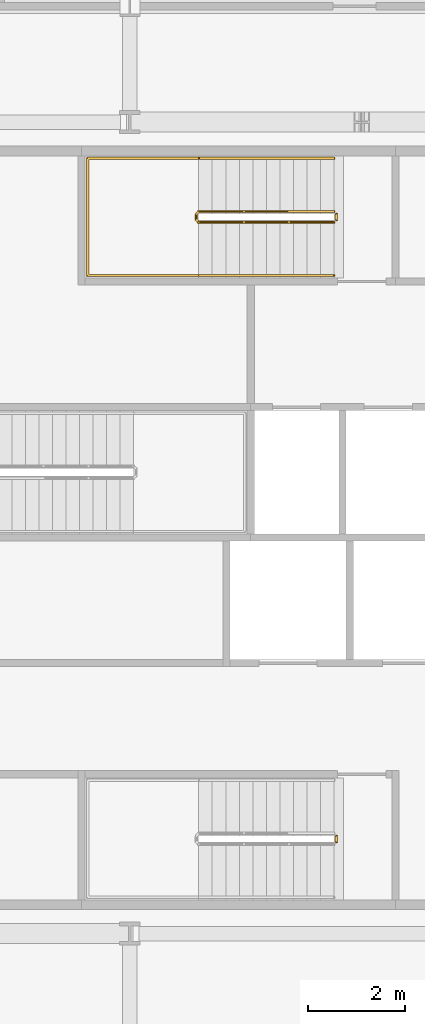
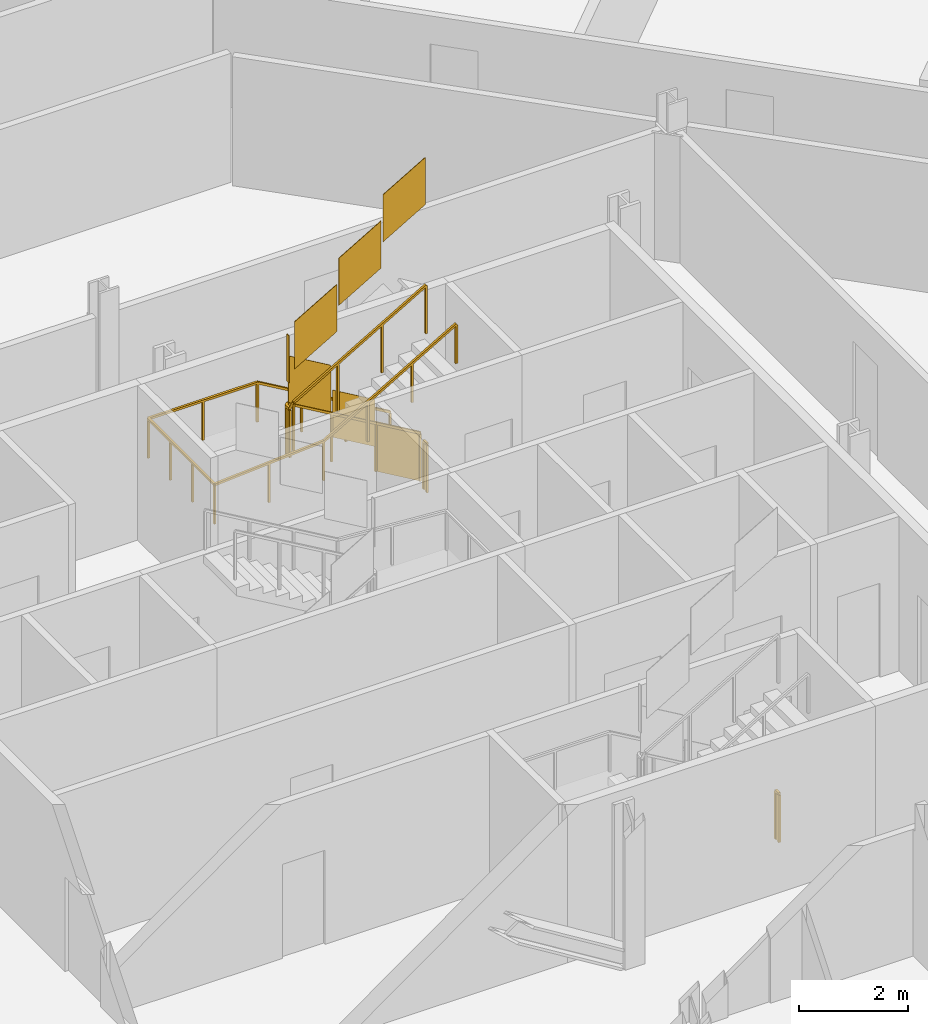
# One storey, part 18 of 21: 4 railings.
"""IFC4 building model written with IfcOpenShell, lengths in metres."""

from ifc_helpers import new_model, si_unit, direction, frame, origin, origin_2d, place, context, subcontext, project, spatial, polyline, rectangle, outline, extrude, material, type_object, element, save


model = new_model("IFC4")

# Units and contexts
model_context = context("Model", 3, precision=1e-05, world=origin(), true_north=direction((0.0, 1.0)))
body_context = subcontext(model_context, "Body", "Model", "MODEL_VIEW")
ifc_project = project(units=[si_unit("LENGTHUNIT", "METRE"), si_unit("AREAUNIT", "SQUARE_METRE"), si_unit("VOLUMEUNIT", "CUBIC_METRE"), si_unit("PLANEANGLEUNIT", "RADIAN"), si_unit("MASSUNIT", "GRAM", prefix="KILO")], contexts=[model_context])

# Site, building, storey
site_placement = place(None, origin())
site = spatial("IfcSite", under=ifc_project, at=site_placement, CompositionType="ELEMENT")
building_placement = place(site_placement, origin())
building = spatial("IfcBuilding", under=site, at=building_placement, Name="Cairn Pilgrim Tower", CompositionType="ELEMENT")
storey_placement = place(building_placement, frame((0.0, 0.0, 132.60009765625)))
storey = spatial("IfcBuildingStorey", under=building, at=storey_placement, Name="L32", CompositionType="ELEMENT", Elevation=132.60009765625)

# Railings
ifc_material = material(Name="Painted steel", Category="steel")
railing_type_1 = type_object("IfcRailingType", Name="STAIR GUARD 1100", PredefinedType="GUARDRAIL", material=ifc_material)
railing_1_placement = place(storey_placement, frame((11.47509765625, -3.97509765625, 0.0)))
element("IfcRailing", 1, at=railing_1_placement, inside=storey, type_object=railing_type_1, Name="L32 ST-A stair guard 2", PredefinedType="GUARDRAIL", context=body_context, shape_type="SweptSolid", body=[
    extrude(rectangle(XDim=0.048095703125, YDim=0.048095703125, at=origin_2d()), frame((0.0, 0.0, 1.076171875), z_axis=(0.0, -1.0, 0.0), x_axis=(1.0, 0.0, 0.0)), (0.0, 0.0, 1.0), 0.125),
    extrude(rectangle(XDim=0.0419921875, YDim=0.0419921875, at=origin_2d()), origin(), (0.0, 0.0, 1.0), 1.052001953125),
    extrude(rectangle(XDim=0.0419921875, YDim=0.0419921875, at=origin_2d()), frame((0.0, -0.125, 0.0)), (0.0, 0.0, 1.0), 1.052001953125),
    extrude(outline(polyline([(0.02099609375, 0.0), (0.10400390625, 0.0), (0.10400390625, 1.052001953125), (0.02099609375, 1.052001953125), (0.02099609375, 0.0)])), frame((0.005859375, 0.0, 0.0), z_axis=(-1.0, 0.0, 0.0), x_axis=(0.0, -1.0, 0.0)), (0.0, 0.0, 1.0), 0.011962890625),
])
railing_2_placement = place(storey_placement, frame((11.425048828125, 8.949951171875, 0.16357421875)))
element("IfcRailing", 2, at=railing_2_placement, inside=storey, type_object=railing_type_1, Name="L32 ST-C stair guard 1", PredefinedType="GUARDRAIL", context=body_context, shape_type="SweptSolid", body=[
    extrude(rectangle(XDim=0.048095703125, YDim=0.048095703125, at=origin_2d()), frame((0.0, 0.0, 1.076171875), z_axis=(-0.863393664356, 0.0, 0.504530851732), x_axis=(0.0, -1.0, 0.0)), (0.0, 0.0, 1.0), 3.2431640625),
    extrude(rectangle(XDim=0.048095703125, YDim=0.048095703125, at=origin_2d()), frame((-2.800048828125, 0.0, 2.71240234375), z_axis=(-0.707106781187, -0.707106781187, 0.0), x_axis=(0.707106781187, -0.707106781187, 0.0)), (0.0, 0.0, 1.0), 0.07080078125),
    extrude(rectangle(XDim=0.048095703125, YDim=0.048095703125, at=origin_2d()), frame((-2.85009765625, -0.050048828125, 2.71240234375), z_axis=(0.0, -1.0, 0.0), x_axis=(1.0, 0.0, 0.0)), (0.0, 0.0, 1.0), 0.125),
    extrude(rectangle(XDim=0.048095703125, YDim=0.048095703125, at=origin_2d()), frame((-2.85009765625, -0.175048828125, 2.71240234375), z_axis=(0.280563532951, -0.279194930351, 0.91833234444), x_axis=(0.705375805398, 0.708833529934, 0.0)), (0.0, 0.0, 1.0), 0.178466796875),
    extrude(rectangle(XDim=0.048095703125, YDim=0.048095703125, at=origin_2d()), frame((-2.800048828125, -0.224853515625, 2.8759765625), z_axis=(0.863393664356, 0.0, 0.504530851732), x_axis=(0.0, 1.0, 0.0)), (0.0, 0.0, 1.0), 3.2431640625),
    extrude(rectangle(XDim=0.0419921875, YDim=0.0419921875, at=origin_2d()), origin(), (0.0, 0.0, 1.0), 1.052001953125),
    extrude(rectangle(XDim=0.0419921875, YDim=0.0419921875, at=origin_2d()), frame((-0.933349609375, 0.0, 0.54541015625)), (0.0, 0.0, 1.0), 1.052001953125),
    extrude(rectangle(XDim=0.0419921875, YDim=0.0419921875, at=origin_2d()), frame((-1.86669921875, 0.0, 1.0908203125)), (0.0, 0.0, 1.0), 1.052001953125),
    extrude(rectangle(XDim=0.0419921875, YDim=0.0419921875, at=origin_2d()), frame((-2.800048828125, 0.0, 1.63623046875)), (0.0, 0.0, 1.0), 1.052001953125),
    extrude(rectangle(XDim=0.0419921875, YDim=0.0419921875, at=origin_2d()), frame((-2.85009765625, -0.050048828125, 1.63623046875)), (0.0, 0.0, 1.0), 1.052001953125),
    extrude(rectangle(XDim=0.0419921875, YDim=0.0419921875, at=origin_2d()), frame((-2.85009765625, -0.175048828125, 1.63623046875)), (0.0, 0.0, 1.0), 1.052001953125),
    extrude(rectangle(XDim=0.0419921875, YDim=0.0419921875, at=origin_2d()), frame((-2.800048828125, -0.224853515625, 1.800048828125)), (0.0, 0.0, 1.0), 1.052001953125),
    extrude(rectangle(XDim=0.0419921875, YDim=0.0419921875, at=origin_2d()), frame((-1.86669921875, -0.224853515625, 2.345458984375)), (0.0, 0.0, 1.0), 1.052001953125),
    extrude(rectangle(XDim=0.0419921875, YDim=0.0419921875, at=origin_2d()), frame((-0.933349609375, -0.224853515625, 2.890869140625)), (0.0, 0.0, 1.0), 1.052001953125),
    extrude(rectangle(XDim=0.0419921875, YDim=0.0419921875, at=origin_2d()), frame((0.0, -0.224853515625, 3.436279296875)), (0.0, 0.0, 1.0), 1.052001953125),
    extrude(outline(polyline([(0.02099609375, 0.01220703125), (0.912353515625, 0.533203125), (0.912353515625, 1.585205078125), (0.02099609375, 1.064208984375), (0.02099609375, 0.01220703125)])), frame((0.0, -0.005859375, 0.0), z_axis=(0.0, 1.0, 0.0), x_axis=(-1.0, 0.0, 0.0)), (0.0, 0.0, 1.0), 0.011962890625),
    extrude(outline(polyline([(0.02099609375, 0.5576171875), (0.912353515625, 1.07861328125), (0.912353515625, 2.130615234375), (0.02099609375, 1.609619140625), (0.02099609375, 0.5576171875)])), frame((-0.933349609375, -0.005859375, 0.54541015625), z_axis=(0.0, 1.0, 0.0), x_axis=(-1.0, 0.0, 0.0)), (0.0, 0.0, 1.0), 0.011962890625),
    extrude(outline(polyline([(0.02099609375, 1.10302734375), (0.912353515625, 1.6240234375), (0.912353515625, 2.676025390625), (0.02099609375, 2.155029296875), (0.02099609375, 1.10302734375)])), frame((-1.86669921875, -0.005859375, 1.0908203125), z_axis=(0.0, 1.0, 0.0), x_axis=(-1.0, 0.0, 0.0)), (0.0, 0.0, 1.0), 0.011962890625),
    extrude(outline(polyline([(0.02099609375, 1.63623046875), (0.10400390625, 1.63623046875), (0.10400390625, 2.688232421875), (0.02099609375, 2.688232421875), (0.02099609375, 1.63623046875)])), frame((-2.84423828125, -0.050048828125, 1.63623046875), z_axis=(-1.0, 0.0, 0.0), x_axis=(0.0, -1.0, 0.0)), (0.0, 0.0, 1.0), 0.011962890625),
    extrude(outline(polyline([(0.02099609375, 1.812255859375), (0.912353515625, 2.333251953125), (0.912353515625, 3.38525390625), (0.02099609375, 2.8642578125), (0.02099609375, 1.812255859375)])), frame((-2.800048828125, -0.21875, 1.800048828125), z_axis=(0.0, -1.0, 0.0), x_axis=(1.0, 0.0, 0.0)), (0.0, 0.0, 1.0), 0.011962890625),
    extrude(outline(polyline([(0.02099609375, 2.357666015625), (0.912353515625, 2.878662109375), (0.912353515625, 3.9306640625), (0.02099609375, 3.40966796875), (0.02099609375, 2.357666015625)])), frame((-1.86669921875, -0.21875, 2.345458984375), z_axis=(0.0, -1.0, 0.0), x_axis=(1.0, 0.0, 0.0)), (0.0, 0.0, 1.0), 0.011962890625),
    extrude(outline(polyline([(0.02099609375, 2.903076171875), (0.912353515625, 3.424072265625), (0.912353515625, 4.47607421875), (0.02099609375, 3.955078125), (0.02099609375, 2.903076171875)])), frame((-0.933349609375, -0.21875, 2.890869140625), z_axis=(0.0, -1.0, 0.0), x_axis=(1.0, 0.0, 0.0)), (0.0, 0.0, 1.0), 0.011962890625),
])
railing_3_placement = place(storey_placement, frame((11.47509765625, 8.89990234375, 0.0)))
element("IfcRailing", 3, at=railing_3_placement, inside=storey, type_object=railing_type_1, Name="L32 ST-C stair guard 2", PredefinedType="GUARDRAIL", context=body_context, shape_type="SweptSolid", body=[
    extrude(rectangle(XDim=0.048095703125, YDim=0.048095703125, at=origin_2d()), frame((0.0, 0.0, 1.076171875), z_axis=(0.0, -1.0, 0.0), x_axis=(1.0, 0.0, 0.0)), (0.0, 0.0, 1.0), 0.125),
    extrude(rectangle(XDim=0.0419921875, YDim=0.0419921875, at=origin_2d()), origin(), (0.0, 0.0, 1.0), 1.052001953125),
    extrude(rectangle(XDim=0.0419921875, YDim=0.0419921875, at=origin_2d()), frame((0.0, -0.125, 0.0)), (0.0, 0.0, 1.0), 1.052001953125),
    extrude(outline(polyline([(0.02099609375, 0.0), (0.10400390625, 0.0), (0.10400390625, 1.052001953125), (0.02099609375, 1.052001953125), (0.02099609375, 0.0)])), frame((0.005859375, 0.0, 0.0), z_axis=(-1.0, 0.0, 0.0), x_axis=(0.0, -1.0, 0.0)), (0.0, 0.0, 1.0), 0.011962890625),
])
railing_type_2 = type_object("IfcRailingType", Name="STAIR HANDRAIL 900", PredefinedType="HANDRAIL", material=ifc_material)
railing_4_placement = place(storey_placement, frame((11.425048828125, 10.050048828125, 0.16357421875)))
element("IfcRailing", 4, at=railing_4_placement, inside=storey, type_object=railing_type_2, Name="L32 ST-C stair handrail 1", PredefinedType="HANDRAIL", context=body_context, shape_type="SweptSolid", body=[
    extrude(rectangle(XDim=0.048095703125, YDim=0.048095703125, at=origin_2d()), frame((0.0, 0.0, 0.8759765625), z_axis=(-0.863393664356, 0.0, 0.504530851732), x_axis=(0.0, -1.0, 0.0)), (0.0, 0.0, 1.0), 3.2431640625),
    extrude(rectangle(XDim=0.048095703125, YDim=0.048095703125, at=origin_2d()), frame((-2.800048828125, 0.0, 2.51220703125), z_axis=(-1.0, 0.0, 0.0), x_axis=(0.0, -1.0, 0.0)), (0.0, 0.0, 1.0), 2.300048828125),
    extrude(rectangle(XDim=0.048095703125, YDim=0.048095703125, at=origin_2d()), frame((-5.10009765625, 0.0, 2.51220703125), z_axis=(0.0, -1.0, 0.0), x_axis=(1.0, 0.0, 0.0)), (0.0, 0.0, 1.0), 2.425048828125),
    extrude(rectangle(XDim=0.048095703125, YDim=0.048095703125, at=origin_2d()), frame((-5.10009765625, -2.425048828125, 2.51220703125), z_axis=(0.99747319029, 0.0, 0.071043892441), x_axis=(0.0, 1.0, 0.0)), (0.0, 0.0, 1.0), 2.305908203125),
    extrude(rectangle(XDim=0.048095703125, YDim=0.048095703125, at=origin_2d()), frame((-2.800048828125, -2.425048828125, 2.67578125), z_axis=(0.863393664356, 0.0, 0.504530851732), x_axis=(0.0, 1.0, 0.0)), (0.0, 0.0, 1.0), 3.2431640625),
    extrude(rectangle(XDim=0.0419921875, YDim=0.0419921875, at=origin_2d()), origin(), (0.0, 0.0, 1.0), 0.851806640625),
    extrude(rectangle(XDim=0.0419921875, YDim=0.0419921875, at=origin_2d()), frame((-0.933349609375, 0.0, 0.54541015625)), (0.0, 0.0, 1.0), 0.851806640625),
    extrude(rectangle(XDim=0.0419921875, YDim=0.0419921875, at=origin_2d()), frame((-1.86669921875, 0.0, 1.0908203125)), (0.0, 0.0, 1.0), 0.851806640625),
    extrude(rectangle(XDim=0.0419921875, YDim=0.0419921875, at=origin_2d()), frame((-2.800048828125, 0.0, 1.63623046875)), (0.0, 0.0, 1.0), 0.851806640625),
    extrude(rectangle(XDim=0.0419921875, YDim=0.0419921875, at=origin_2d()), frame((-3.9501953125, 0.0, 1.63623046875)), (0.0, 0.0, 1.0), 0.851806640625),
    extrude(rectangle(XDim=0.0419921875, YDim=0.0419921875, at=origin_2d()), frame((-5.10009765625, 0.0, 1.63623046875)), (0.0, 0.0, 1.0), 0.851806640625),
    extrude(rectangle(XDim=0.0419921875, YDim=0.0419921875, at=origin_2d()), frame((-5.10009765625, -0.808349609375, 1.63623046875)), (0.0, 0.0, 1.0), 0.851806640625),
    extrude(rectangle(XDim=0.0419921875, YDim=0.0419921875, at=origin_2d()), frame((-5.10009765625, -1.61669921875, 1.63623046875)), (0.0, 0.0, 1.0), 0.851806640625),
    extrude(rectangle(XDim=0.0419921875, YDim=0.0419921875, at=origin_2d()), frame((-5.10009765625, -2.425048828125, 1.63623046875)), (0.0, 0.0, 1.0), 0.851806640625),
    extrude(rectangle(XDim=0.0419921875, YDim=0.0419921875, at=origin_2d()), frame((-3.9501953125, -2.425048828125, 1.71826171875)), (0.0, 0.0, 1.0), 0.851806640625),
    extrude(rectangle(XDim=0.0419921875, YDim=0.0419921875, at=origin_2d()), frame((-2.800048828125, -2.425048828125, 1.800048828125)), (0.0, 0.0, 1.0), 0.851806640625),
    extrude(rectangle(XDim=0.0419921875, YDim=0.0419921875, at=origin_2d()), frame((-1.86669921875, -2.425048828125, 2.345458984375)), (0.0, 0.0, 1.0), 0.851806640625),
    extrude(rectangle(XDim=0.0419921875, YDim=0.0419921875, at=origin_2d()), frame((-0.933349609375, -2.425048828125, 2.890869140625)), (0.0, 0.0, 1.0), 0.851806640625),
    extrude(rectangle(XDim=0.0419921875, YDim=0.0419921875, at=origin_2d()), frame((0.0, -2.425048828125, 3.436279296875)), (0.0, 0.0, 1.0), 0.851806640625),
])

save(model, "model.ifc")
